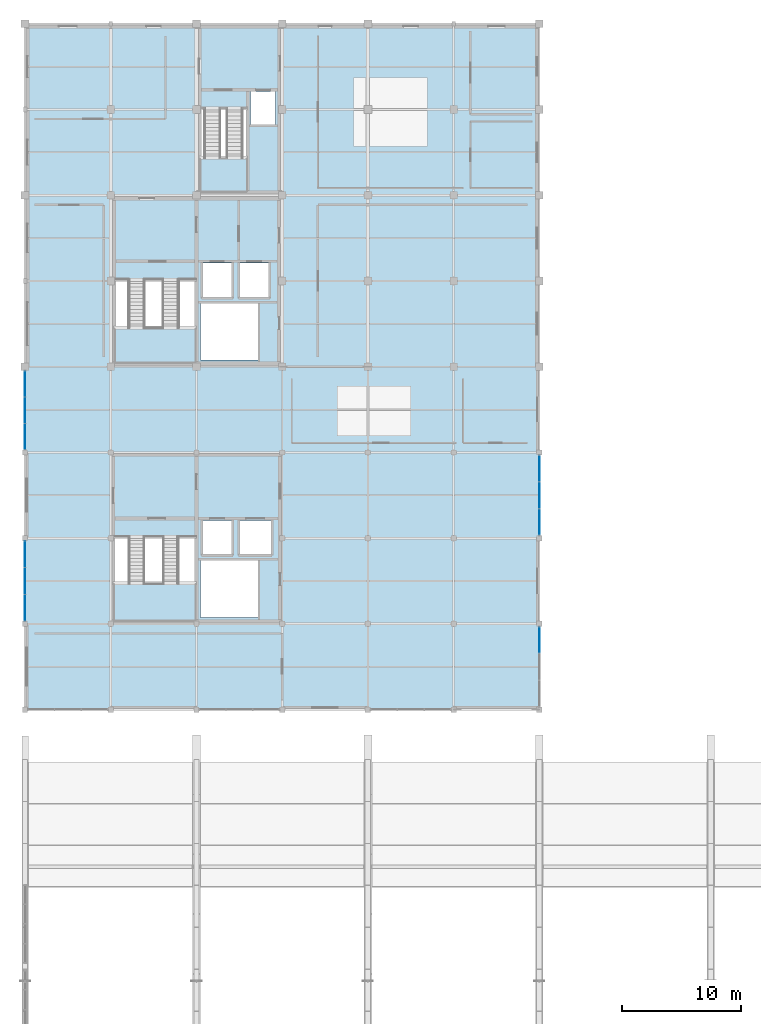
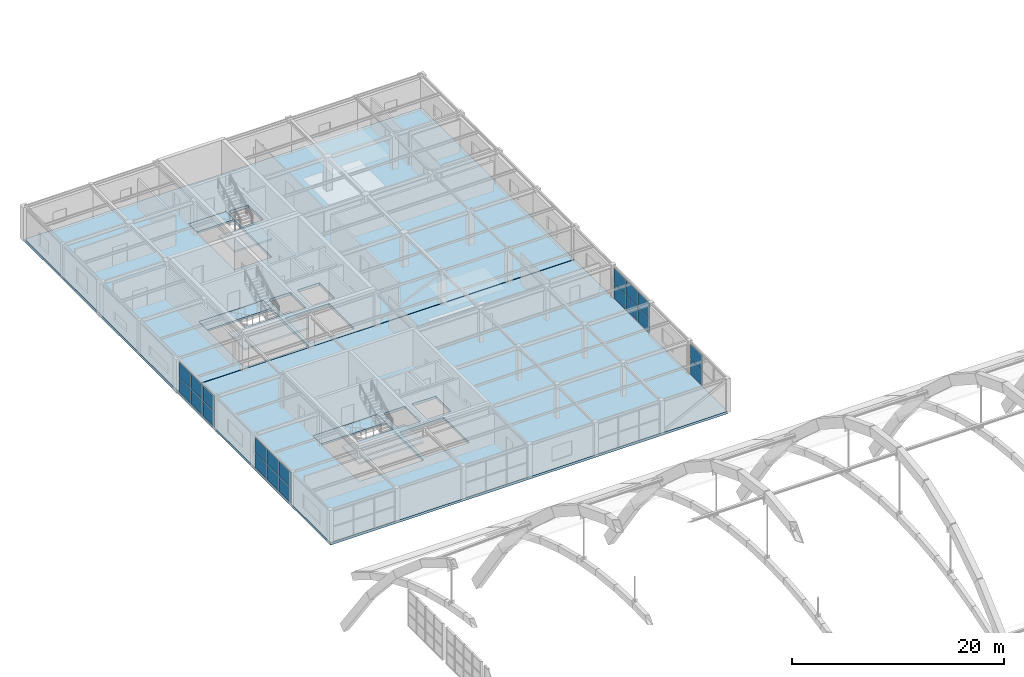
# One storey, part 43 of 64: 20 plates, 8 slabs, 7 elements without a shape of their own.
"""IFC4 building model written with IfcOpenShell, lengths in metres."""

from ifc_helpers import new_model, si_unit, direction, frame, origin, origin_2d, place, context, subcontext, project, spatial, polyline, rectangle, outline, extrude, material, layer, layer_set, type_object, element, aggregate, save


model = new_model("IFC4")

# Units and contexts
model_context = context("Model", 3, precision=1e-05, world=origin(), true_north=direction((0.0, 1.0)))
body_context = subcontext(model_context, "Body", "Model", "MODEL_VIEW")
ifc_project = project(units=[si_unit("LENGTHUNIT", "METRE"), si_unit("AREAUNIT", "SQUARE_METRE"), si_unit("VOLUMEUNIT", "CUBIC_METRE"), si_unit("PLANEANGLEUNIT", "RADIAN"), si_unit("MASSUNIT", "GRAM", prefix="KILO")], contexts=[model_context])

# Site, building, storey
site_placement = place(None, origin())
site = spatial("IfcSite", under=ifc_project, at=site_placement, CompositionType="ELEMENT")
building_placement = place(site_placement, origin())
building = spatial("IfcBuilding", under=site, at=building_placement, Name="Leyfeld Transit Interchange", CompositionType="ELEMENT")
storey_placement = place(building_placement, frame((0.0, 0.0, 9.60009765625)))
storey = spatial("IfcBuildingStorey", under=building, at=storey_placement, Name="L02", CompositionType="ELEMENT", Elevation=9.60009765625)

# Curtain wall, plates
ifc_material_1 = material(Name="Anodised aluminium EN AW-6060 T66", Category="aluminium")
curtain_wall_type = type_object("IfcCurtainWallType", Name="CW-SYS-CYC-7200", PredefinedType="NOTDEFINED", material=ifc_material_1)
curtain_wall_1_placement = place(storey_placement, origin())
curtain_wall_1 = element("IfcCurtainWall", 1, at=curtain_wall_1_placement, inside=storey, type_object=curtain_wall_type, Name="Curtain Wall CW-L02-103", PredefinedType="NOTDEFINED")
ifc_material_2 = material(Name="Triple low-E insulated glazing", Category="glass")
ifc_layer_1 = layer(ifc_material_2, 0.0380859375, Name="Triple low-E insulated glazing")
ifc_layer_set_1 = layer_set([ifc_layer_1], Name="Triple low-E insulated glazing")
plate_type = type_object("IfcPlateType", Name="CW-PNL-GLZ-38", PredefinedType="CURTAIN_PANEL", material=ifc_layer_set_1)
plate_1_placement = place(storey_placement, frame((0.0, 73.359619140625, 0.0634765625), z_axis=(0.0, 0.0, 1.0), x_axis=(0.0, 1.0, 0.0)))
plate_1 = element("IfcPlate", 2, at=plate_1_placement, type_object=plate_type, Name="Glazed Curtain Panel CW-L02-103-P01_1", PredefinedType="CURTAIN_PANEL", context=body_context, shape_type="SweptSolid", body=[
    extrude(rectangle(XDim=2.162109375, YDim=0.0380859375, at=origin_2d()), origin(), (0.0, 0.0, 1.0), 1.715576171875),
])
plate_2_placement = place(storey_placement, frame((0.0, 73.359619140625, 1.8408203125), z_axis=(0.0, 0.0, 1.0), x_axis=(0.0, 1.0, 0.0)))
plate_2 = element("IfcPlate", 3, at=plate_2_placement, type_object=plate_type, Name="Glazed Curtain Panel CW-L02-103-P01_2", PredefinedType="CURTAIN_PANEL", context=body_context, shape_type="SweptSolid", body=[
    extrude(rectangle(XDim=2.162109375, YDim=0.0380859375, at=origin_2d()), origin(), (0.0, 0.0, 1.0), 1.715576171875),
])
plate_3_placement = place(storey_placement, frame((0.0, 75.60009765625, 0.0634765625), z_axis=(0.0, 0.0, 1.0), x_axis=(0.0, 1.0, 0.0)))
plate_3 = element("IfcPlate", 4, at=plate_3_placement, type_object=plate_type, Name="Glazed Curtain Panel CW-L02-103-P02_1", PredefinedType="CURTAIN_PANEL", context=body_context, shape_type="SweptSolid", body=[
    extrude(rectangle(XDim=2.194580078125, YDim=0.0380859375, at=origin_2d()), origin(), (0.0, 0.0, 1.0), 1.715576171875),
])
plate_4_placement = place(storey_placement, frame((0.0, 75.60009765625, 1.8408203125), z_axis=(0.0, 0.0, 1.0), x_axis=(0.0, 1.0, 0.0)))
plate_4 = element("IfcPlate", 5, at=plate_4_placement, type_object=plate_type, Name="Glazed Curtain Panel CW-L02-103-P02_2", PredefinedType="CURTAIN_PANEL", context=body_context, shape_type="SweptSolid", body=[
    extrude(rectangle(XDim=2.194580078125, YDim=0.0380859375, at=origin_2d()), origin(), (0.0, 0.0, 1.0), 1.715576171875),
])
plate_5_placement = place(storey_placement, frame((0.0, 77.84033203125, 0.0634765625), z_axis=(0.0, 0.0, 1.0), x_axis=(0.0, 1.0, 0.0)))
plate_5 = element("IfcPlate", 6, at=plate_5_placement, type_object=plate_type, Name="Glazed Curtain Panel CW-L02-103-P03_1", PredefinedType="CURTAIN_PANEL", context=body_context, shape_type="SweptSolid", body=[
    extrude(rectangle(XDim=2.162109375, YDim=0.0380859375, at=origin_2d()), origin(), (0.0, 0.0, 1.0), 1.715576171875),
])
plate_6_placement = place(storey_placement, frame((0.0, 77.84033203125, 1.8408203125), z_axis=(0.0, 0.0, 1.0), x_axis=(0.0, 1.0, 0.0)))
plate_6 = element("IfcPlate", 7, at=plate_6_placement, type_object=plate_type, Name="Glazed Curtain Panel CW-L02-103-P03_2", PredefinedType="CURTAIN_PANEL", context=body_context, shape_type="SweptSolid", body=[
    extrude(rectangle(XDim=2.162109375, YDim=0.0380859375, at=origin_2d()), origin(), (0.0, 0.0, 1.0), 1.715576171875),
])
aggregate(curtain_wall_1, [plate_1, plate_2, plate_3, plate_4, plate_5, plate_6])

curtain_wall_2_placement = place(storey_placement, origin())
curtain_wall_2 = element("IfcCurtainWall", 8, at=curtain_wall_2_placement, inside=storey, type_object=curtain_wall_type, Name="Curtain Wall CW-L02-104", PredefinedType="NOTDEFINED")
plate_7_placement = place(storey_placement, frame((0.0, 87.742919921875, 0.0634765625), z_axis=(0.0, 0.0, 1.0), x_axis=(0.0, 1.0, 0.0)))
plate_7 = element("IfcPlate", 9, at=plate_7_placement, type_object=plate_type, Name="Glazed Curtain Panel CW-L02-104-P01_1", PredefinedType="CURTAIN_PANEL", context=body_context, shape_type="SweptSolid", body=[
    extrude(rectangle(XDim=2.12890625, YDim=0.0380859375, at=origin_2d()), origin(), (0.0, 0.0, 1.0), 1.715576171875),
])
plate_8_placement = place(storey_placement, frame((0.0, 87.742919921875, 1.8408203125), z_axis=(0.0, 0.0, 1.0), x_axis=(0.0, 1.0, 0.0)))
plate_8 = element("IfcPlate", 10, at=plate_8_placement, type_object=plate_type, Name="Glazed Curtain Panel CW-L02-104-P01_2", PredefinedType="CURTAIN_PANEL", context=body_context, shape_type="SweptSolid", body=[
    extrude(rectangle(XDim=2.12890625, YDim=0.0380859375, at=origin_2d()), origin(), (0.0, 0.0, 1.0), 1.715576171875),
])
plate_9_placement = place(storey_placement, frame((0.0, 89.949951171875, 0.0634765625), z_axis=(0.0, 0.0, 1.0), x_axis=(0.0, 1.0, 0.0)))
plate_9 = element("IfcPlate", 11, at=plate_9_placement, type_object=plate_type, Name="Glazed Curtain Panel CW-L02-104-P02_1", PredefinedType="CURTAIN_PANEL", context=body_context, shape_type="SweptSolid", body=[
    extrude(rectangle(XDim=2.161376953125, YDim=0.0380859375, at=origin_2d()), origin(), (0.0, 0.0, 1.0), 1.715576171875),
])
plate_10_placement = place(storey_placement, frame((0.0, 89.949951171875, 1.8408203125), z_axis=(0.0, 0.0, 1.0), x_axis=(0.0, 1.0, 0.0)))
plate_10 = element("IfcPlate", 12, at=plate_10_placement, type_object=plate_type, Name="Glazed Curtain Panel CW-L02-104-P02_2", PredefinedType="CURTAIN_PANEL", context=body_context, shape_type="SweptSolid", body=[
    extrude(rectangle(XDim=2.161376953125, YDim=0.0380859375, at=origin_2d()), origin(), (0.0, 0.0, 1.0), 1.715576171875),
])
plate_11_placement = place(storey_placement, frame((0.0, 92.156982421875, 0.0634765625), z_axis=(0.0, 0.0, 1.0), x_axis=(0.0, 1.0, 0.0)))
plate_11 = element("IfcPlate", 13, at=plate_11_placement, type_object=plate_type, Name="Glazed Curtain Panel CW-L02-104-P03_1", PredefinedType="CURTAIN_PANEL", context=body_context, shape_type="SweptSolid", body=[
    extrude(rectangle(XDim=2.12890625, YDim=0.0380859375, at=origin_2d()), origin(), (0.0, 0.0, 1.0), 1.715576171875),
])
plate_12_placement = place(storey_placement, frame((0.0, 92.156982421875, 1.8408203125), z_axis=(0.0, 0.0, 1.0), x_axis=(0.0, 1.0, 0.0)))
plate_12 = element("IfcPlate", 14, at=plate_12_placement, type_object=plate_type, Name="Glazed Curtain Panel CW-L02-104-P03_2", PredefinedType="CURTAIN_PANEL", context=body_context, shape_type="SweptSolid", body=[
    extrude(rectangle(XDim=2.12890625, YDim=0.0380859375, at=origin_2d()), origin(), (0.0, 0.0, 1.0), 1.715576171875),
])
aggregate(curtain_wall_2, [plate_7, plate_8, plate_9, plate_10, plate_11, plate_12])

curtain_wall_3_placement = place(storey_placement, origin())
curtain_wall_3 = element("IfcCurtainWall", 15, at=curtain_wall_3_placement, inside=storey, type_object=curtain_wall_type, Name="Curtain Wall CW-L02-105", PredefinedType="NOTDEFINED")
plate_13_placement = place(storey_placement, frame((43.199951171875, 85.040283203125, 0.063232421875), z_axis=(0.0, 0.0, 1.0), x_axis=(0.0, -1.0, 0.0)))
plate_13 = element("IfcPlate", 16, at=plate_13_placement, type_object=plate_type, Name="Glazed Curtain Panel CW-L02-105-P01_1", PredefinedType="CURTAIN_PANEL", context=body_context, shape_type="SweptSolid", body=[
    extrude(rectangle(XDim=2.162109375, YDim=0.0380859375, at=origin_2d()), origin(), (0.0, 0.0, 1.0), 1.70556640625),
])
plate_14_placement = place(storey_placement, frame((43.199951171875, 85.040283203125, 1.830810546875), z_axis=(0.0, 0.0, 1.0), x_axis=(0.0, -1.0, 0.0)))
plate_14 = element("IfcPlate", 17, at=plate_14_placement, type_object=plate_type, Name="Glazed Curtain Panel CW-L02-105-P01_2", PredefinedType="CURTAIN_PANEL", context=body_context, shape_type="SweptSolid", body=[
    extrude(rectangle(XDim=2.162109375, YDim=0.0380859375, at=origin_2d()), origin(), (0.0, 0.0, 1.0), 1.70556640625),
])
plate_15_placement = place(storey_placement, frame((43.199951171875, 82.800048828125, 0.063232421875), z_axis=(0.0, 0.0, 1.0), x_axis=(0.0, -1.0, 0.0)))
plate_15 = element("IfcPlate", 18, at=plate_15_placement, type_object=plate_type, Name="Glazed Curtain Panel CW-L02-105-P02_1", PredefinedType="CURTAIN_PANEL", context=body_context, shape_type="SweptSolid", body=[
    extrude(rectangle(XDim=2.194580078125, YDim=0.0380859375, at=origin_2d()), origin(), (0.0, 0.0, 1.0), 1.70556640625),
])
plate_16_placement = place(storey_placement, frame((43.199951171875, 82.800048828125, 1.830810546875), z_axis=(0.0, 0.0, 1.0), x_axis=(0.0, -1.0, 0.0)))
plate_16 = element("IfcPlate", 19, at=plate_16_placement, type_object=plate_type, Name="Glazed Curtain Panel CW-L02-105-P02_2", PredefinedType="CURTAIN_PANEL", context=body_context, shape_type="SweptSolid", body=[
    extrude(rectangle(XDim=2.194580078125, YDim=0.0380859375, at=origin_2d()), origin(), (0.0, 0.0, 1.0), 1.70556640625),
])
plate_17_placement = place(storey_placement, frame((43.199951171875, 80.5595703125, 0.063232421875), z_axis=(0.0, 0.0, 1.0), x_axis=(0.0, -1.0, 0.0)))
plate_17 = element("IfcPlate", 20, at=plate_17_placement, type_object=plate_type, Name="Glazed Curtain Panel CW-L02-105-P03_1", PredefinedType="CURTAIN_PANEL", context=body_context, shape_type="SweptSolid", body=[
    extrude(rectangle(XDim=2.162109375, YDim=0.0380859375, at=origin_2d()), origin(), (0.0, 0.0, 1.0), 1.70556640625),
])
plate_18_placement = place(storey_placement, frame((43.199951171875, 80.5595703125, 1.830810546875), z_axis=(0.0, 0.0, 1.0), x_axis=(0.0, -1.0, 0.0)))
plate_18 = element("IfcPlate", 21, at=plate_18_placement, type_object=plate_type, Name="Glazed Curtain Panel CW-L02-105-P03_2", PredefinedType="CURTAIN_PANEL", context=body_context, shape_type="SweptSolid", body=[
    extrude(rectangle(XDim=2.162109375, YDim=0.0380859375, at=origin_2d()), origin(), (0.0, 0.0, 1.0), 1.70556640625),
])
aggregate(curtain_wall_3, [plate_13, plate_14, plate_15, plate_16, plate_17, plate_18])

curtain_wall_4_placement = place(storey_placement, origin())
curtain_wall_4 = element("IfcCurtainWall", 22, at=curtain_wall_4_placement, inside=storey, type_object=curtain_wall_type, Name="Curtain Wall CW-L02-106", PredefinedType="NOTDEFINED")
plate_19_placement = place(storey_placement, frame((43.199951171875, 70.640380859375, 0.063232421875), z_axis=(0.0, 0.0, 1.0), x_axis=(0.0, -1.0, 0.0)))
plate_19 = element("IfcPlate", 23, at=plate_19_placement, type_object=plate_type, Name="Glazed Curtain Panel CW-L02-106-P01_1", PredefinedType="CURTAIN_PANEL", context=body_context, shape_type="SweptSolid", body=[
    extrude(rectangle(XDim=2.162109375, YDim=0.0380859375, at=origin_2d()), origin(), (0.0, 0.0, 1.0), 1.70556640625),
])
plate_20_placement = place(storey_placement, frame((43.199951171875, 70.640380859375, 1.830810546875), z_axis=(0.0, 0.0, 1.0), x_axis=(0.0, -1.0, 0.0)))
plate_20 = element("IfcPlate", 24, at=plate_20_placement, type_object=plate_type, Name="Glazed Curtain Panel CW-L02-106-P01_2", PredefinedType="CURTAIN_PANEL", context=body_context, shape_type="SweptSolid", body=[
    extrude(rectangle(XDim=2.162109375, YDim=0.0380859375, at=origin_2d()), origin(), (0.0, 0.0, 1.0), 1.70556640625),
])
aggregate(curtain_wall_4, [plate_19, plate_20])

# Slabs
ifc_material_3 = material(Name="Concrete C35/45", Category="concrete")
ifc_layer_2 = layer(ifc_material_3, 0.280029296875, Name="Concrete C35/45")
ifc_layer_set_2 = layer_set([ifc_layer_2], Name="Concrete C35/45")
slab_type_1 = type_object("IfcSlabType", Name="SLB-FLR-280", PredefinedType="FLOOR", material=ifc_layer_set_2)
slab_1_placement = place(storey_placement, frame((0.0, 0.0, -0.280029296875)))
element("IfcSlab", 25, at=slab_1_placement, inside=storey, type_object=slab_type_1, Name="Slab V3 L02 B1", PredefinedType="FLOOR", context=body_context, shape_type="SweptSolid", body=[
    extrude(outline(polyline([(43.199951171875, 93.574951171875), (0.0, 93.574951171875), (0.0, 64.800048828125), (43.199951171875, 64.800048828125), (43.199951171875, 93.574951171875)]), holes=[polyline([(7.375, 72.175048828125), (7.375, 80.85009765625), (14.39990234375, 80.85009765625), (14.39990234375, 72.175048828125), (7.375, 72.175048828125)]), polyline([(14.75, 77.320068359375), (19.550048828125, 77.320068359375), (19.550048828125, 72.550048828125), (14.75, 72.550048828125), (14.75, 77.320068359375)]), polyline([(17.35009765625, 80.699951171875), (17.35009765625, 77.85009765625), (14.949951171875, 77.85009765625), (14.949951171875, 80.699951171875), (17.35009765625, 80.699951171875)]), polyline([(20.64990234375, 77.85009765625), (18.050048828125, 77.85009765625), (18.050048828125, 80.699951171875), (20.64990234375, 80.699951171875), (20.64990234375, 77.85009765625)])]), origin(), (0.0, 0.0, 1.0), 0.280029296875),
])
ifc_layer_3 = layer(ifc_material_3, 0.320068359375, Name="Concrete C35/45")
ifc_layer_set_3 = layer_set([ifc_layer_3], Name="Concrete C35/45")
slab_type_2 = type_object("IfcSlabType", Name="SLB-FLR-320", PredefinedType="FLOOR", material=ifc_layer_set_3)
slab_2_placement = place(storey_placement, frame((0.0, 0.0, -0.320068359375)))
element("IfcSlab", 26, at=slab_2_placement, inside=storey, type_object=slab_type_2, Name="Slab V5 L02 B1", PredefinedType="FLOOR", context=body_context, shape_type="SweptSolid", body=[
    extrude(outline(polyline([(0.0, 122.39990234375), (0.0, 93.625), (43.199951171875, 93.625), (43.199951171875, 122.39990234375), (0.0, 122.39990234375)]), holes=[polyline([(7.425048828125, 102.449951171875), (14.39990234375, 102.449951171875), (14.39990234375, 93.824951171875), (7.425048828125, 93.824951171875), (7.425048828125, 102.449951171875)]), polyline([(19.550048828125, 98.919921875), (19.550048828125, 94.14990234375), (14.75, 94.14990234375), (14.75, 98.919921875), (19.550048828125, 98.919921875)]), polyline([(17.35009765625, 99.449951171875), (14.949951171875, 99.449951171875), (14.949951171875, 102.300048828125), (17.35009765625, 102.300048828125), (17.35009765625, 99.449951171875)]), polyline([(18.050048828125, 99.449951171875), (18.050048828125, 102.300048828125), (20.449951171875, 102.300048828125), (20.449951171875, 99.449951171875), (18.050048828125, 99.449951171875)]), polyline([(14.60009765625, 116.85009765625), (18.699951171875, 116.85009765625), (18.699951171875, 108.199951171875), (14.60009765625, 108.199951171875), (14.60009765625, 116.85009765625)]), polyline([(21.050048828125, 116.699951171875), (21.050048828125, 113.949951171875), (18.949951171875, 113.949951171875), (18.949951171875, 116.699951171875), (21.050048828125, 116.699951171875)])]), origin(), (0.0, 0.0, 1.0), 0.320068359375),
])
ifc_material_4 = material(Name="Precast concrete C40/50", Category="concrete")
ifc_layer_4 = layer(ifc_material_4, 0.199951171875, Name="Precast concrete C40/50")
ifc_layer_set_4 = layer_set([ifc_layer_4], Name="Precast concrete C40/50")
slab_type_3 = type_object("IfcSlabType", Name="SLB-LND-200", PredefinedType="LANDING", material=ifc_layer_set_4)
slab_3_placement = place(storey_placement, frame((0.0, 0.0, -0.2001953125)))
element("IfcSlab", 27, at=slab_3_placement, inside=storey, type_object=slab_type_3, Name="Core K1 Stair Floor Landing L02", PredefinedType="LANDING", context=body_context, shape_type="SweptSolid", body=[
    extrude(outline(polyline([(7.429931640625, 100.89990234375), (14.39501953125, 100.89990234375), (14.39501953125, 102.445068359375), (7.429931640625, 102.445068359375), (7.429931640625, 100.89990234375)])), origin(), (0.0, 0.0, 1.0), 0.2001953125),
])

# Stair, slab
stair_type_1 = type_object("IfcStairType", Name="STR-HT-150x310", PredefinedType="HALF_TURN_STAIR", material=ifc_material_4)
stair_1_placement = place(storey_placement, origin())
stair_1 = element("IfcStair", 28, at=stair_1_placement, inside=storey, type_object=stair_type_1, Name="Exit Stair ST-01 (L02 to L03)", PredefinedType="HALF_TURN_STAIR")
slab_4_placement = place(storey_placement, frame((0.0, 0.0, 1.89990234375)))
slab_4 = element("IfcSlab", 29, at=slab_4_placement, type_object=slab_type_3, Name="Stair ST-01 L02 Half Landing", PredefinedType="LANDING", context=body_context, shape_type="SweptSolid", body=[
    extrude(outline(polyline([(7.429931640625, 93.830078125), (14.39501953125, 93.830078125), (14.39501953125, 96.8701171875), (7.429931640625, 96.8701171875), (7.429931640625, 93.830078125)])), origin(), (0.0, 0.0, 1.0), 0.199951171875),
])
aggregate(stair_1, [slab_4])

# Slab
slab_5_placement = place(storey_placement, frame((0.0, 0.0, -0.2001953125)))
element("IfcSlab", 30, at=slab_5_placement, inside=storey, type_object=slab_type_3, Name="Core K2 Stair Floor Landing L02", PredefinedType="LANDING", context=body_context, shape_type="SweptSolid", body=[
    extrude(outline(polyline([(14.60498046875, 115.300048828125), (18.695068359375, 115.300048828125), (18.695068359375, 116.844970703125), (14.60498046875, 116.844970703125), (14.60498046875, 115.300048828125)])), origin(), (0.0, 0.0, 1.0), 0.2001953125),
])

# Stair, slab
stair_type_2 = type_object("IfcStairType", Name="STR-HT-150x320", PredefinedType="HALF_TURN_STAIR", material=ifc_material_4)
stair_2_placement = place(storey_placement, origin())
stair_2 = element("IfcStair", 31, at=stair_2_placement, inside=storey, type_object=stair_type_2, Name="Exit Stair ST-02 (L02 to L03)", PredefinedType="HALF_TURN_STAIR")
slab_6_placement = place(storey_placement, frame((0.0, 0.0, 1.89990234375)))
slab_6 = element("IfcSlab", 32, at=slab_6_placement, type_object=slab_type_3, Name="Stair ST-02 L02 Half Landing", PredefinedType="LANDING", context=body_context, shape_type="SweptSolid", body=[
    extrude(outline(polyline([(14.60498046875, 108.205078125), (18.695068359375, 108.205078125), (18.695068359375, 111.139892578125), (14.60498046875, 111.139892578125), (14.60498046875, 108.205078125)])), origin(), (0.0, 0.0, 1.0), 0.199951171875),
])
aggregate(stair_2, [slab_6])

# Slab
slab_7_placement = place(storey_placement, frame((0.0, 0.0, -0.2001953125)))
element("IfcSlab", 33, at=slab_7_placement, inside=storey, type_object=slab_type_3, Name="Core K3 Stair Floor Landing L02", PredefinedType="LANDING", context=body_context, shape_type="SweptSolid", body=[
    extrude(outline(polyline([(7.3798828125, 79.300048828125), (14.39501953125, 79.300048828125), (14.39501953125, 80.844970703125), (7.3798828125, 80.844970703125), (7.3798828125, 79.300048828125)])), origin(), (0.0, 0.0, 1.0), 0.2001953125),
])

# Stair, slab
stair_type_3 = type_object("IfcStairType", Name="STR-HT-150x300", PredefinedType="HALF_TURN_STAIR", material=ifc_material_4)
stair_3_placement = place(storey_placement, origin())
stair_3 = element("IfcStair", 34, at=stair_3_placement, inside=storey, type_object=stair_type_3, Name="Exit Stair ST-03 (L02 to L03)", PredefinedType="HALF_TURN_STAIR")
slab_8_placement = place(storey_placement, frame((0.0, 0.0, 1.89990234375)))
slab_8 = element("IfcSlab", 35, at=slab_8_placement, type_object=slab_type_3, Name="Stair ST-03 L02 Half Landing", PredefinedType="LANDING", context=body_context, shape_type="SweptSolid", body=[
    extrude(outline(polyline([(7.3798828125, 72.179931640625), (14.39501953125, 72.179931640625), (14.39501953125, 75.39990234375), (7.3798828125, 75.39990234375), (7.3798828125, 72.179931640625)])), origin(), (0.0, 0.0, 1.0), 0.199951171875),
])
aggregate(stair_3, [slab_8])

save(model, "model.ifc")
